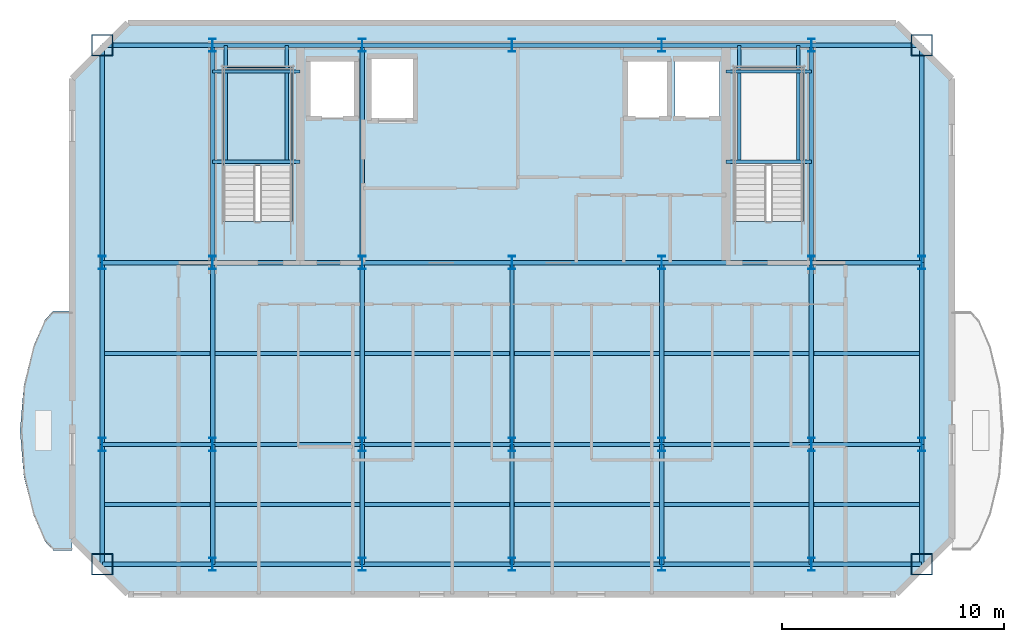
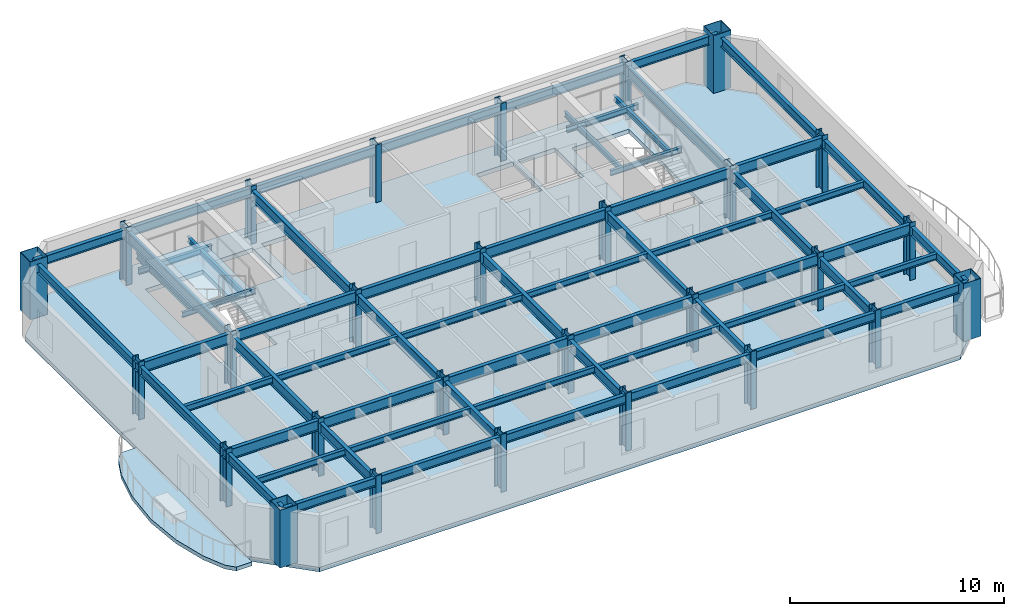
# One storey, part 1 of 6: 63 beams, 28 columns, 3 slabs, 1 element without a shape of its own.
"""IFC4 building model written with IfcOpenShell, lengths in metres."""

from ifc_helpers import new_model, si_unit, direction, frame, origin, origin_2d, place, context, subcontext, project, spatial, polyline, hollow_rectangle, i_section, outline, extrude, material, layer, layer_set, material_profile, profile_set, type_object, element, aggregate, save


model = new_model("IFC4")

# Units and contexts
model_context = context("Model", 3, precision=1e-05, world=origin(), true_north=direction((0.0, 1.0)))
body_context = subcontext(model_context, "Body", "Model", "MODEL_VIEW")
ifc_project = project(units=[si_unit("LENGTHUNIT", "METRE"), si_unit("AREAUNIT", "SQUARE_METRE"), si_unit("VOLUMEUNIT", "CUBIC_METRE"), si_unit("PLANEANGLEUNIT", "RADIAN"), si_unit("MASSUNIT", "GRAM", prefix="KILO")], contexts=[model_context])

# Site, building, storey
site_placement = place(None, origin())
site = spatial("IfcSite", under=ifc_project, at=site_placement, CompositionType="ELEMENT")
building_placement = place(site_placement, origin())
building = spatial("IfcBuilding", under=site, at=building_placement, Name="Haevon Station Towers", CompositionType="ELEMENT")
storey_placement = place(building_placement, frame((0.0, 0.0, 252.60009765625)))
storey = spatial("IfcBuildingStorey", under=building, at=storey_placement, Name="L70", CompositionType="ELEMENT", Elevation=252.60009765625)

# Columns
ifc_material_1 = material(Name="Steel S460", Category="steel")
ifc_material_profile_1 = material_profile(ifc_material_1, hollow_rectangle(XDim=0.949951171875, YDim=0.949951171875, WallThickness=0.028076171875, at=origin_2d()), Name="BOX-950x950x28")
ifc_profile_set_1 = profile_set([ifc_material_profile_1], Name="Steel S460")
column_type_1 = type_object("IfcColumnType", Name="COL-MC6", PredefinedType="COLUMN", material=ifc_profile_set_1)
for number, where, z_axis, x_axis, name in (
    (1, (19.02490234375, 24.60009765625, 0.0), (0.0, 0.0, 1.0), (1.0, 0.0, 0.0), "COL-T1-L70-01-01"),
    (2, (19.02490234375, 48.0, 0.0), (0.0, 0.0, 1.0), (1.0, 0.0, 0.0), "COL-T1-L70-01-04"),
    (3, (55.97509765625, 24.60009765625, 0.0), (0.0, 0.0, 1.0), (1.0, 0.0, 0.0), "COL-T1-L70-07-01"),
    (4, (55.97509765625, 48.0, 0.0), (0.0, 0.0, 1.0), (1.0, 0.0, 0.0), "COL-T1-L70-07-04"),
):
    element("IfcColumn", number, at=place(storey_placement, frame(where, z_axis=z_axis, x_axis=x_axis)), inside=storey, type_object=column_type_1, Name=name, PredefinedType="COLUMN", context=body_context, shape_type="SweptSolid", body=[
        extrude(hollow_rectangle(XDim=0.949951171875, YDim=0.949951171875, WallThickness=0.028076171875, at=origin_2d()), origin(), (0.0, 0.0, 1.0), 3.2998046875),
    ])
ifc_material_2 = material(Name="Steel S355", Category="steel")
ifc_material_profile_2 = material_profile(ifc_material_2, i_section(OverallWidth=0.300048828125, OverallDepth=0.60009765625, WebThickness=0.013916015625, FlangeThickness=0.02490234375, at=origin_2d()), Name="H-600x300x14x25")
ifc_profile_set_2 = profile_set([ifc_material_profile_2], Name="Steel S355")
column_type_2 = type_object("IfcColumnType", Name="COL-TW4", PredefinedType="COLUMN", material=ifc_profile_set_2)
for number, where, z_axis, x_axis, name in (
    (5, (19.02490234375, 30.0, 0.0), (0.0, 0.0, 1.0), (1.0, 0.0, 0.0), "COL-T1-L70-01-02"),
    (6, (19.02490234375, 38.199951171875, 0.0), (0.0, 0.0, 1.0), (1.0, 0.0, 0.0), "COL-T1-L70-01-03"),
    (7, (24.0, 24.60009765625, 0.0), (0.0, 0.0, 1.0), (1.0, 0.0, 0.0), "COL-T1-L70-02-01"),
    (8, (24.0, 30.0, 0.0), (0.0, 0.0, 1.0), (1.0, 0.0, 0.0), "COL-T1-L70-02-02"),
    (9, (24.0, 38.199951171875, 0.0), (0.0, 0.0, 1.0), (1.0, 0.0, 0.0), "COL-T1-L70-02-03"),
    (10, (24.0, 48.0, 0.0), (0.0, 0.0, 1.0), (1.0, 0.0, 0.0), "COL-T1-L70-02-04"),
    (11, (30.75, 24.60009765625, 0.0), (0.0, 0.0, 1.0), (1.0, 0.0, 0.0), "COL-T1-L70-03-01"),
    (12, (30.75, 30.0, 0.0), (0.0, 0.0, 1.0), (1.0, 0.0, 0.0), "COL-T1-L70-03-02"),
    (13, (30.75, 38.199951171875, 0.0), (0.0, 0.0, 1.0), (1.0, 0.0, 0.0), "COL-T1-L70-03-03"),
    (14, (30.75, 48.0, 0.0), (0.0, 0.0, 1.0), (1.0, 0.0, 0.0), "COL-T1-L70-03-04"),
    (15, (37.5, 24.60009765625, 0.0), (0.0, 0.0, 1.0), (1.0, 0.0, 0.0), "COL-T1-L70-04-01"),
    (16, (37.5, 30.0, 0.0), (0.0, 0.0, 1.0), (1.0, 0.0, 0.0), "COL-T1-L70-04-02"),
    (17, (37.5, 38.199951171875, 0.0), (0.0, 0.0, 1.0), (1.0, 0.0, 0.0), "COL-T1-L70-04-03"),
    (18, (37.5, 48.0, 0.0), (0.0, 0.0, 1.0), (1.0, 0.0, 0.0), "COL-T1-L70-04-04"),
    (19, (44.25, 24.60009765625, 0.0), (0.0, 0.0, 1.0), (1.0, 0.0, 0.0), "COL-T1-L70-05-01"),
    (20, (44.25, 30.0, 0.0), (0.0, 0.0, 1.0), (1.0, 0.0, 0.0), "COL-T1-L70-05-02"),
    (21, (44.25, 38.199951171875, 0.0), (0.0, 0.0, 1.0), (1.0, 0.0, 0.0), "COL-T1-L70-05-03"),
    (22, (44.25, 48.0, 0.0), (0.0, 0.0, 1.0), (1.0, 0.0, 0.0), "COL-T1-L70-05-04"),
    (23, (51.0, 24.60009765625, 0.0), (0.0, 0.0, 1.0), (1.0, 0.0, 0.0), "COL-T1-L70-06-01"),
    (24, (51.0, 30.0, 0.0), (0.0, 0.0, 1.0), (1.0, 0.0, 0.0), "COL-T1-L70-06-02"),
    (25, (51.0, 38.199951171875, 0.0), (0.0, 0.0, 1.0), (1.0, 0.0, 0.0), "COL-T1-L70-06-03"),
    (26, (51.0, 48.0, 0.0), (0.0, 0.0, 1.0), (1.0, 0.0, 0.0), "COL-T1-L70-06-04"),
    (27, (55.97509765625, 30.0, 0.0), (0.0, 0.0, 1.0), (1.0, 0.0, 0.0), "COL-T1-L70-07-02"),
    (28, (55.97509765625, 38.199951171875, 0.0), (0.0, 0.0, 1.0), (1.0, 0.0, 0.0), "COL-T1-L70-07-03"),
):
    element("IfcColumn", number, at=place(storey_placement, frame(where, z_axis=z_axis, x_axis=x_axis)), inside=storey, type_object=column_type_2, Name=name, PredefinedType="COLUMN", context=body_context, shape_type="SweptSolid", body=[
        extrude(i_section(OverallWidth=0.300048828125, OverallDepth=0.60009765625, WebThickness=0.013916015625, FlangeThickness=0.02490234375, at=origin_2d()), origin(), (0.0, 0.0, 1.0), 3.2998046875),
    ])

# Beams
ifc_material_profile_3 = material_profile(ifc_material_2, i_section(OverallWidth=0.199951171875, OverallDepth=0.60009765625, WebThickness=0.010986328125, FlangeThickness=0.01708984375, at=origin_2d()), Name="H-600x200x11x17")
ifc_profile_set_3 = profile_set([ifc_material_profile_3], Name="Steel S355")
beam_type_1 = type_object("IfcBeamType", Name="BM-G600", PredefinedType="BEAM", material=ifc_profile_set_3)
beam_1_placement = place(storey_placement, frame((19.02490234375, 30.0, 2.75), z_axis=(1.0, 0.0, 0.0), x_axis=(0.0, 1.0, 0.0)))
element("IfcBeam", 29, at=beam_1_placement, inside=storey, type_object=beam_type_1, Name="BM-T1U-L70-02-01", PredefinedType="BEAM", context=body_context, shape_type="SweptSolid", body=[
    extrude(i_section(OverallWidth=0.199951171875, OverallDepth=0.60009765625, WebThickness=0.010986328125, FlangeThickness=0.01708984375, at=origin_2d()), origin(), (0.0, 0.0, 1.0), 4.97509765625),
])
for number, where, z_axis, x_axis, name in (
    (30, (24.0, 30.0, 2.75), (1.0, 0.0, 0.0), (0.0, 1.0, 0.0), "BM-T1U-L70-02-02"),
    (31, (30.75, 30.0, 2.75), (1.0, 0.0, 0.0), (0.0, 1.0, 0.0), "BM-T1U-L70-02-03"),
    (32, (37.5, 30.0, 2.75), (1.0, 0.0, 0.0), (0.0, 1.0, 0.0), "BM-T1U-L70-02-04"),
    (33, (44.25, 30.0, 2.75), (1.0, 0.0, 0.0), (0.0, 1.0, 0.0), "BM-T1U-L70-02-05"),
):
    element("IfcBeam", number, at=place(storey_placement, frame(where, z_axis=z_axis, x_axis=x_axis)), inside=storey, type_object=beam_type_1, Name=name, PredefinedType="BEAM", context=body_context, shape_type="SweptSolid", body=[
        extrude(i_section(OverallWidth=0.199951171875, OverallDepth=0.60009765625, WebThickness=0.010986328125, FlangeThickness=0.01708984375, at=origin_2d()), origin(), (0.0, 0.0, 1.0), 6.75),
    ])
for number, where, z_axis, x_axis, name in (
    (34, (51.0, 30.0, 2.75), (1.0, 0.0, 0.0), (0.0, 1.0, 0.0), "BM-T1U-L70-02-06"),
    (35, (19.02490234375, 38.199951171875, 2.75), (1.0, 0.0, 0.0), (0.0, 1.0, 0.0), "BM-T1U-L70-03-01"),
):
    element("IfcBeam", number, at=place(storey_placement, frame(where, z_axis=z_axis, x_axis=x_axis)), inside=storey, type_object=beam_type_1, Name=name, PredefinedType="BEAM", context=body_context, shape_type="SweptSolid", body=[
        extrude(i_section(OverallWidth=0.199951171875, OverallDepth=0.60009765625, WebThickness=0.010986328125, FlangeThickness=0.01708984375, at=origin_2d()), origin(), (0.0, 0.0, 1.0), 4.97509765625),
    ])
for number, where, z_axis, x_axis, name in (
    (36, (24.0, 38.199951171875, 2.75), (1.0, 0.0, 0.0), (0.0, 1.0, 0.0), "BM-T1U-L70-03-02"),
    (37, (30.75, 38.199951171875, 2.75), (1.0, 0.0, 0.0), (0.0, 1.0, 0.0), "BM-T1U-L70-03-03"),
    (38, (37.5, 38.199951171875, 2.75), (1.0, 0.0, 0.0), (0.0, 1.0, 0.0), "BM-T1U-L70-03-04"),
    (39, (44.25, 38.199951171875, 2.75), (1.0, 0.0, 0.0), (0.0, 1.0, 0.0), "BM-T1U-L70-03-05"),
):
    element("IfcBeam", number, at=place(storey_placement, frame(where, z_axis=z_axis, x_axis=x_axis)), inside=storey, type_object=beam_type_1, Name=name, PredefinedType="BEAM", context=body_context, shape_type="SweptSolid", body=[
        extrude(i_section(OverallWidth=0.199951171875, OverallDepth=0.60009765625, WebThickness=0.010986328125, FlangeThickness=0.01708984375, at=origin_2d()), origin(), (0.0, 0.0, 1.0), 6.75),
    ])
beam_2_placement = place(storey_placement, frame((51.0, 38.199951171875, 2.75), z_axis=(1.0, 0.0, 0.0), x_axis=(0.0, 1.0, 0.0)))
element("IfcBeam", 40, at=beam_2_placement, inside=storey, type_object=beam_type_1, Name="BM-T1U-L70-03-06", PredefinedType="BEAM", context=body_context, shape_type="SweptSolid", body=[
    extrude(i_section(OverallWidth=0.199951171875, OverallDepth=0.60009765625, WebThickness=0.010986328125, FlangeThickness=0.01708984375, at=origin_2d()), origin(), (0.0, 0.0, 1.0), 4.97509765625),
])
beam_3_placement = place(storey_placement, frame((24.0, 24.60009765625, 2.75), z_axis=(0.0, 1.0, 0.0), x_axis=(-1.0, 0.0, 0.0)))
element("IfcBeam", 41, at=beam_3_placement, inside=storey, type_object=beam_type_1, Name="BM-T1V-L70-02-01", PredefinedType="BEAM", context=body_context, shape_type="SweptSolid", body=[
    extrude(i_section(OverallWidth=0.199951171875, OverallDepth=0.60009765625, WebThickness=0.010986328125, FlangeThickness=0.01708984375, at=origin_2d()), origin(), (0.0, 0.0, 1.0), 5.39990234375),
])
beam_4_placement = place(storey_placement, frame((24.0, 30.0, 2.75), z_axis=(0.0, 1.0, 0.0), x_axis=(-1.0, 0.0, 0.0)))
element("IfcBeam", 42, at=beam_4_placement, inside=storey, type_object=beam_type_1, Name="BM-T1V-L70-02-02", PredefinedType="BEAM", context=body_context, shape_type="SweptSolid", body=[
    extrude(i_section(OverallWidth=0.199951171875, OverallDepth=0.60009765625, WebThickness=0.010986328125, FlangeThickness=0.01708984375, at=origin_2d()), origin(), (0.0, 0.0, 1.0), 8.199951171875),
])
beam_5_placement = place(storey_placement, frame((24.0, 38.199951171875, 2.75), z_axis=(0.0, 1.0, 0.0), x_axis=(-1.0, 0.0, 0.0)))
element("IfcBeam", 43, at=beam_5_placement, inside=storey, type_object=beam_type_1, Name="BM-T1V-L70-02-03", PredefinedType="BEAM", context=body_context, shape_type="SweptSolid", body=[
    extrude(i_section(OverallWidth=0.199951171875, OverallDepth=0.60009765625, WebThickness=0.010986328125, FlangeThickness=0.01708984375, at=origin_2d()), origin(), (0.0, 0.0, 1.0), 9.800048828125),
])
beam_6_placement = place(storey_placement, frame((30.75, 24.60009765625, 2.75), z_axis=(0.0, 1.0, 0.0), x_axis=(-1.0, 0.0, 0.0)))
element("IfcBeam", 44, at=beam_6_placement, inside=storey, type_object=beam_type_1, Name="BM-T1V-L70-03-01", PredefinedType="BEAM", context=body_context, shape_type="SweptSolid", body=[
    extrude(i_section(OverallWidth=0.199951171875, OverallDepth=0.60009765625, WebThickness=0.010986328125, FlangeThickness=0.01708984375, at=origin_2d()), origin(), (0.0, 0.0, 1.0), 5.39990234375),
])
beam_7_placement = place(storey_placement, frame((30.75, 30.0, 2.75), z_axis=(0.0, 1.0, 0.0), x_axis=(-1.0, 0.0, 0.0)))
element("IfcBeam", 45, at=beam_7_placement, inside=storey, type_object=beam_type_1, Name="BM-T1V-L70-03-02", PredefinedType="BEAM", context=body_context, shape_type="SweptSolid", body=[
    extrude(i_section(OverallWidth=0.199951171875, OverallDepth=0.60009765625, WebThickness=0.010986328125, FlangeThickness=0.01708984375, at=origin_2d()), origin(), (0.0, 0.0, 1.0), 8.199951171875),
])
beam_8_placement = place(storey_placement, frame((30.75, 38.199951171875, 2.75), z_axis=(0.0, 1.0, 0.0), x_axis=(-1.0, 0.0, 0.0)))
element("IfcBeam", 46, at=beam_8_placement, inside=storey, type_object=beam_type_1, Name="BM-T1V-L70-03-03", PredefinedType="BEAM", context=body_context, shape_type="SweptSolid", body=[
    extrude(i_section(OverallWidth=0.199951171875, OverallDepth=0.60009765625, WebThickness=0.010986328125, FlangeThickness=0.01708984375, at=origin_2d()), origin(), (0.0, 0.0, 1.0), 9.800048828125),
])
beam_9_placement = place(storey_placement, frame((37.5, 24.60009765625, 2.75), z_axis=(0.0, 1.0, 0.0), x_axis=(-1.0, 0.0, 0.0)))
element("IfcBeam", 47, at=beam_9_placement, inside=storey, type_object=beam_type_1, Name="BM-T1V-L70-04-01", PredefinedType="BEAM", context=body_context, shape_type="SweptSolid", body=[
    extrude(i_section(OverallWidth=0.199951171875, OverallDepth=0.60009765625, WebThickness=0.010986328125, FlangeThickness=0.01708984375, at=origin_2d()), origin(), (0.0, 0.0, 1.0), 5.39990234375),
])
beam_10_placement = place(storey_placement, frame((37.5, 30.0, 2.75), z_axis=(0.0, 1.0, 0.0), x_axis=(-1.0, 0.0, 0.0)))
element("IfcBeam", 48, at=beam_10_placement, inside=storey, type_object=beam_type_1, Name="BM-T1V-L70-04-02", PredefinedType="BEAM", context=body_context, shape_type="SweptSolid", body=[
    extrude(i_section(OverallWidth=0.199951171875, OverallDepth=0.60009765625, WebThickness=0.010986328125, FlangeThickness=0.01708984375, at=origin_2d()), origin(), (0.0, 0.0, 1.0), 8.199951171875),
])
beam_11_placement = place(storey_placement, frame((44.25, 24.60009765625, 2.75), z_axis=(0.0, 1.0, 0.0), x_axis=(-1.0, 0.0, 0.0)))
element("IfcBeam", 49, at=beam_11_placement, inside=storey, type_object=beam_type_1, Name="BM-T1V-L70-05-01", PredefinedType="BEAM", context=body_context, shape_type="SweptSolid", body=[
    extrude(i_section(OverallWidth=0.199951171875, OverallDepth=0.60009765625, WebThickness=0.010986328125, FlangeThickness=0.01708984375, at=origin_2d()), origin(), (0.0, 0.0, 1.0), 5.39990234375),
])
beam_12_placement = place(storey_placement, frame((44.25, 30.0, 2.75), z_axis=(0.0, 1.0, 0.0), x_axis=(-1.0, 0.0, 0.0)))
element("IfcBeam", 50, at=beam_12_placement, inside=storey, type_object=beam_type_1, Name="BM-T1V-L70-05-02", PredefinedType="BEAM", context=body_context, shape_type="SweptSolid", body=[
    extrude(i_section(OverallWidth=0.199951171875, OverallDepth=0.60009765625, WebThickness=0.010986328125, FlangeThickness=0.01708984375, at=origin_2d()), origin(), (0.0, 0.0, 1.0), 8.199951171875),
])
beam_13_placement = place(storey_placement, frame((51.0, 24.60009765625, 2.75), z_axis=(0.0, 1.0, 0.0), x_axis=(-1.0, 0.0, 0.0)))
element("IfcBeam", 51, at=beam_13_placement, inside=storey, type_object=beam_type_1, Name="BM-T1V-L70-06-01", PredefinedType="BEAM", context=body_context, shape_type="SweptSolid", body=[
    extrude(i_section(OverallWidth=0.199951171875, OverallDepth=0.60009765625, WebThickness=0.010986328125, FlangeThickness=0.01708984375, at=origin_2d()), origin(), (0.0, 0.0, 1.0), 5.39990234375),
])
beam_14_placement = place(storey_placement, frame((51.0, 30.0, 2.75), z_axis=(0.0, 1.0, 0.0), x_axis=(-1.0, 0.0, 0.0)))
element("IfcBeam", 52, at=beam_14_placement, inside=storey, type_object=beam_type_1, Name="BM-T1V-L70-06-02", PredefinedType="BEAM", context=body_context, shape_type="SweptSolid", body=[
    extrude(i_section(OverallWidth=0.199951171875, OverallDepth=0.60009765625, WebThickness=0.010986328125, FlangeThickness=0.01708984375, at=origin_2d()), origin(), (0.0, 0.0, 1.0), 8.199951171875),
])
beam_15_placement = place(storey_placement, frame((51.0, 38.199951171875, 2.75), z_axis=(0.0, 1.0, 0.0), x_axis=(-1.0, 0.0, 0.0)))
element("IfcBeam", 53, at=beam_15_placement, inside=storey, type_object=beam_type_1, Name="BM-T1V-L70-06-03", PredefinedType="BEAM", context=body_context, shape_type="SweptSolid", body=[
    extrude(i_section(OverallWidth=0.199951171875, OverallDepth=0.60009765625, WebThickness=0.010986328125, FlangeThickness=0.01708984375, at=origin_2d()), origin(), (0.0, 0.0, 1.0), 9.800048828125),
])
ifc_material_profile_4 = material_profile(ifc_material_2, i_section(OverallWidth=0.175048828125, OverallDepth=0.35009765625, WebThickness=0.007080078125, FlangeThickness=0.010986328125, at=origin_2d()), Name="H-350x175x7x11")
ifc_profile_set_4 = profile_set([ifc_material_profile_4], Name="Steel S355")
beam_type_2 = type_object("IfcBeamType", Name="BM-J350", PredefinedType="JOIST", material=ifc_profile_set_4)
beam_16_placement = place(storey_placement, frame((19.135009765625, 27.300048828125, 2.875), z_axis=(1.0, 0.0, 0.0), x_axis=(0.0, 1.0, 0.0)))
element("IfcBeam", 54, at=beam_16_placement, inside=storey, type_object=beam_type_2, Name="BM-T1J-L70-01-01", PredefinedType="JOIST", context=body_context, shape_type="SweptSolid", body=[
    extrude(i_section(OverallWidth=0.175048828125, OverallDepth=0.35009765625, WebThickness=0.007080078125, FlangeThickness=0.010986328125, at=origin_2d()), origin(), (0.0, 0.0, 1.0), 4.7548828125),
])
for number, where, z_axis, x_axis, name in (
    (55, (24.110107421875, 27.300048828125, 2.875), (1.0, 0.0, 0.0), (0.0, 1.0, 0.0), "BM-T1J-L70-01-02"),
    (56, (30.860107421875, 27.300048828125, 2.875), (1.0, 0.0, 0.0), (0.0, 1.0, 0.0), "BM-T1J-L70-01-03"),
    (57, (37.610107421875, 27.300048828125, 2.875), (1.0, 0.0, 0.0), (0.0, 1.0, 0.0), "BM-T1J-L70-01-04"),
    (58, (44.360107421875, 27.300048828125, 2.875), (1.0, 0.0, 0.0), (0.0, 1.0, 0.0), "BM-T1J-L70-01-05"),
):
    element("IfcBeam", number, at=place(storey_placement, frame(where, z_axis=z_axis, x_axis=x_axis)), inside=storey, type_object=beam_type_2, Name=name, PredefinedType="JOIST", context=body_context, shape_type="SweptSolid", body=[
        extrude(i_section(OverallWidth=0.175048828125, OverallDepth=0.35009765625, WebThickness=0.007080078125, FlangeThickness=0.010986328125, at=origin_2d()), origin(), (0.0, 0.0, 1.0), 6.52978515625),
    ])
for number, where, z_axis, x_axis, name in (
    (59, (51.110107421875, 27.300048828125, 2.875), (1.0, 0.0, 0.0), (0.0, 1.0, 0.0), "BM-T1J-L70-01-06"),
    (60, (19.135009765625, 34.10009765625, 2.875), (1.0, 0.0, 0.0), (0.0, 1.0, 0.0), "BM-T1J-L70-02-01"),
):
    element("IfcBeam", number, at=place(storey_placement, frame(where, z_axis=z_axis, x_axis=x_axis)), inside=storey, type_object=beam_type_2, Name=name, PredefinedType="JOIST", context=body_context, shape_type="SweptSolid", body=[
        extrude(i_section(OverallWidth=0.175048828125, OverallDepth=0.35009765625, WebThickness=0.007080078125, FlangeThickness=0.010986328125, at=origin_2d()), origin(), (0.0, 0.0, 1.0), 4.7548828125),
    ])
for number, where, z_axis, x_axis, name in (
    (61, (24.110107421875, 34.10009765625, 2.875), (1.0, 0.0, 0.0), (0.0, 1.0, 0.0), "BM-T1J-L70-02-02"),
    (62, (30.860107421875, 34.10009765625, 2.875), (1.0, 0.0, 0.0), (0.0, 1.0, 0.0), "BM-T1J-L70-02-03"),
    (63, (37.610107421875, 34.10009765625, 2.875), (1.0, 0.0, 0.0), (0.0, 1.0, 0.0), "BM-T1J-L70-02-04"),
    (64, (44.360107421875, 34.10009765625, 2.875), (1.0, 0.0, 0.0), (0.0, 1.0, 0.0), "BM-T1J-L70-02-05"),
):
    element("IfcBeam", number, at=place(storey_placement, frame(where, z_axis=z_axis, x_axis=x_axis)), inside=storey, type_object=beam_type_2, Name=name, PredefinedType="JOIST", context=body_context, shape_type="SweptSolid", body=[
        extrude(i_section(OverallWidth=0.175048828125, OverallDepth=0.35009765625, WebThickness=0.007080078125, FlangeThickness=0.010986328125, at=origin_2d()), origin(), (0.0, 0.0, 1.0), 6.52978515625),
    ])
beam_17_placement = place(storey_placement, frame((51.110107421875, 34.10009765625, 2.875), z_axis=(1.0, 0.0, 0.0), x_axis=(0.0, 1.0, 0.0)))
element("IfcBeam", 65, at=beam_17_placement, inside=storey, type_object=beam_type_2, Name="BM-T1J-L70-02-06", PredefinedType="JOIST", context=body_context, shape_type="SweptSolid", body=[
    extrude(i_section(OverallWidth=0.175048828125, OverallDepth=0.35009765625, WebThickness=0.007080078125, FlangeThickness=0.010986328125, at=origin_2d()), origin(), (0.0, 0.0, 1.0), 4.7548828125),
])
ifc_material_profile_5 = material_profile(ifc_material_2, i_section(OverallWidth=0.14990234375, OverallDepth=0.300048828125, WebThickness=0.006591796875, FlangeThickness=0.009033203125, at=origin_2d()), Name="H-300x150x6.5x9")
ifc_profile_set_5 = profile_set([ifc_material_profile_5], Name="Steel S355")
beam_type_3 = type_object("IfcBeamType", Name="BM-LIN300", PredefinedType="LINTEL", material=ifc_profile_set_5)
for number, where, z_axis, x_axis, name in (
    (66, (24.0, 42.743896484375, 1.2998046875), (1.0, 0.0, 0.0), (0.0, 1.0, 0.0), "BM-ST1L-L70-1-S"),
    (67, (24.0, 46.820068359375, 1.2998046875), (1.0, 0.0, 0.0), (0.0, 1.0, 0.0), "BM-ST1L-L70-1-N"),
):
    element("IfcBeam", number, at=place(storey_placement, frame(where, z_axis=z_axis, x_axis=x_axis)), inside=storey, type_object=beam_type_3, Name=name, PredefinedType="LINTEL", context=body_context, shape_type="SweptSolid", body=[
        extrude(i_section(OverallWidth=0.14990234375, OverallDepth=0.300048828125, WebThickness=0.006591796875, FlangeThickness=0.009033203125, at=origin_2d()), origin(), (0.0, 0.0, 1.0), 3.949951171875),
    ])
for number, where, z_axis, x_axis, name in (
    (68, (24.60009765625, 42.743896484375, 1.2998046875), (0.0, 1.0, 0.0), (-1.0, 0.0, 0.0), "BM-ST1L-L70-1-W"),
    (69, (27.35009765625, 42.743896484375, 1.2998046875), (0.0, 1.0, 0.0), (-1.0, 0.0, 0.0), "BM-ST1L-L70-1-E"),
):
    element("IfcBeam", number, at=place(storey_placement, frame(where, z_axis=z_axis, x_axis=x_axis)), inside=storey, type_object=beam_type_3, Name=name, PredefinedType="LINTEL", context=body_context, shape_type="SweptSolid", body=[
        extrude(i_section(OverallWidth=0.14990234375, OverallDepth=0.300048828125, WebThickness=0.006591796875, FlangeThickness=0.009033203125, at=origin_2d()), origin(), (0.0, 0.0, 1.0), 5.256103515625),
    ])
for number, where, z_axis, x_axis, name in (
    (70, (47.14990234375, 42.743896484375, 1.2998046875), (1.0, 0.0, 0.0), (0.0, 1.0, 0.0), "BM-ST2L-L70-1-S"),
    (71, (47.14990234375, 46.820068359375, 1.2998046875), (1.0, 0.0, 0.0), (0.0, 1.0, 0.0), "BM-ST2L-L70-1-N"),
):
    element("IfcBeam", number, at=place(storey_placement, frame(where, z_axis=z_axis, x_axis=x_axis)), inside=storey, type_object=beam_type_3, Name=name, PredefinedType="LINTEL", context=body_context, shape_type="SweptSolid", body=[
        extrude(i_section(OverallWidth=0.14990234375, OverallDepth=0.300048828125, WebThickness=0.006591796875, FlangeThickness=0.009033203125, at=origin_2d()), origin(), (0.0, 0.0, 1.0), 3.85009765625),
    ])
for number, where, z_axis, x_axis, name in (
    (72, (47.75, 42.743896484375, 1.2998046875), (0.0, 1.0, 0.0), (-1.0, 0.0, 0.0), "BM-ST2L-L70-1-W"),
    (73, (50.39990234375, 42.743896484375, 1.2998046875), (0.0, 1.0, 0.0), (-1.0, 0.0, 0.0), "BM-ST2L-L70-1-E"),
):
    element("IfcBeam", number, at=place(storey_placement, frame(where, z_axis=z_axis, x_axis=x_axis)), inside=storey, type_object=beam_type_3, Name=name, PredefinedType="LINTEL", context=body_context, shape_type="SweptSolid", body=[
        extrude(i_section(OverallWidth=0.14990234375, OverallDepth=0.300048828125, WebThickness=0.006591796875, FlangeThickness=0.009033203125, at=origin_2d()), origin(), (0.0, 0.0, 1.0), 5.256103515625),
    ])
ifc_material_profile_6 = material_profile(ifc_material_2, i_section(OverallWidth=0.199951171875, OverallDepth=0.5, WebThickness=0.010009765625, FlangeThickness=0.01611328125, at=origin_2d()), Name="H-500x200x10x16")
ifc_profile_set_6 = profile_set([ifc_material_profile_6], Name="Steel S355")
beam_type_4 = type_object("IfcBeamType", Name="BM-SP500", PredefinedType="SPANDREL", material=ifc_profile_set_6)
beam_18_placement = place(storey_placement, frame((19.02490234375, 24.60009765625, 2.7998046875), z_axis=(1.0, 0.0, 0.0), x_axis=(0.0, 1.0, 0.0)))
element("IfcBeam", 74, at=beam_18_placement, inside=storey, type_object=beam_type_4, Name="BM-T1U-L70-01-01", PredefinedType="SPANDREL", context=body_context, shape_type="SweptSolid", body=[
    extrude(i_section(OverallWidth=0.199951171875, OverallDepth=0.5, WebThickness=0.010009765625, FlangeThickness=0.01611328125, at=origin_2d()), origin(), (0.0, 0.0, 1.0), 4.97509765625),
])
for number, where, z_axis, x_axis, name in (
    (75, (24.0, 24.60009765625, 2.7998046875), (1.0, 0.0, 0.0), (0.0, 1.0, 0.0), "BM-T1U-L70-01-02"),
    (76, (30.75, 24.60009765625, 2.7998046875), (1.0, 0.0, 0.0), (0.0, 1.0, 0.0), "BM-T1U-L70-01-03"),
    (77, (37.5, 24.60009765625, 2.7998046875), (1.0, 0.0, 0.0), (0.0, 1.0, 0.0), "BM-T1U-L70-01-04"),
    (78, (44.25, 24.60009765625, 2.7998046875), (1.0, 0.0, 0.0), (0.0, 1.0, 0.0), "BM-T1U-L70-01-05"),
):
    element("IfcBeam", number, at=place(storey_placement, frame(where, z_axis=z_axis, x_axis=x_axis)), inside=storey, type_object=beam_type_4, Name=name, PredefinedType="SPANDREL", context=body_context, shape_type="SweptSolid", body=[
        extrude(i_section(OverallWidth=0.199951171875, OverallDepth=0.5, WebThickness=0.010009765625, FlangeThickness=0.01611328125, at=origin_2d()), origin(), (0.0, 0.0, 1.0), 6.75),
    ])
for number, where, z_axis, x_axis, name in (
    (79, (51.0, 24.60009765625, 2.7998046875), (1.0, 0.0, 0.0), (0.0, 1.0, 0.0), "BM-T1U-L70-01-06"),
    (80, (19.02490234375, 48.0, 2.7998046875), (1.0, 0.0, 0.0), (0.0, 1.0, 0.0), "BM-T1U-L70-04-01"),
):
    element("IfcBeam", number, at=place(storey_placement, frame(where, z_axis=z_axis, x_axis=x_axis)), inside=storey, type_object=beam_type_4, Name=name, PredefinedType="SPANDREL", context=body_context, shape_type="SweptSolid", body=[
        extrude(i_section(OverallWidth=0.199951171875, OverallDepth=0.5, WebThickness=0.010009765625, FlangeThickness=0.01611328125, at=origin_2d()), origin(), (0.0, 0.0, 1.0), 4.97509765625),
    ])
for number, where, z_axis, x_axis, name in (
    (81, (24.0, 48.0, 2.7998046875), (1.0, 0.0, 0.0), (0.0, 1.0, 0.0), "BM-T1U-L70-04-02"),
    (82, (30.75, 48.0, 2.7998046875), (1.0, 0.0, 0.0), (0.0, 1.0, 0.0), "BM-T1U-L70-04-03"),
    (83, (37.5, 48.0, 2.7998046875), (1.0, 0.0, 0.0), (0.0, 1.0, 0.0), "BM-T1U-L70-04-04"),
    (84, (44.25, 48.0, 2.7998046875), (1.0, 0.0, 0.0), (0.0, 1.0, 0.0), "BM-T1U-L70-04-05"),
):
    element("IfcBeam", number, at=place(storey_placement, frame(where, z_axis=z_axis, x_axis=x_axis)), inside=storey, type_object=beam_type_4, Name=name, PredefinedType="SPANDREL", context=body_context, shape_type="SweptSolid", body=[
        extrude(i_section(OverallWidth=0.199951171875, OverallDepth=0.5, WebThickness=0.010009765625, FlangeThickness=0.01611328125, at=origin_2d()), origin(), (0.0, 0.0, 1.0), 6.75),
    ])
beam_19_placement = place(storey_placement, frame((51.0, 48.0, 2.7998046875), z_axis=(1.0, 0.0, 0.0), x_axis=(0.0, 1.0, 0.0)))
element("IfcBeam", 85, at=beam_19_placement, inside=storey, type_object=beam_type_4, Name="BM-T1U-L70-04-06", PredefinedType="SPANDREL", context=body_context, shape_type="SweptSolid", body=[
    extrude(i_section(OverallWidth=0.199951171875, OverallDepth=0.5, WebThickness=0.010009765625, FlangeThickness=0.01611328125, at=origin_2d()), origin(), (0.0, 0.0, 1.0), 4.97509765625),
])
beam_20_placement = place(storey_placement, frame((19.02490234375, 24.60009765625, 2.7998046875), z_axis=(0.0, 1.0, 0.0), x_axis=(-1.0, 0.0, 0.0)))
element("IfcBeam", 86, at=beam_20_placement, inside=storey, type_object=beam_type_4, Name="BM-T1V-L70-01-01", PredefinedType="SPANDREL", context=body_context, shape_type="SweptSolid", body=[
    extrude(i_section(OverallWidth=0.199951171875, OverallDepth=0.5, WebThickness=0.010009765625, FlangeThickness=0.01611328125, at=origin_2d()), origin(), (0.0, 0.0, 1.0), 5.39990234375),
])
beam_21_placement = place(storey_placement, frame((19.02490234375, 30.0, 2.7998046875), z_axis=(0.0, 1.0, 0.0), x_axis=(-1.0, 0.0, 0.0)))
element("IfcBeam", 87, at=beam_21_placement, inside=storey, type_object=beam_type_4, Name="BM-T1V-L70-01-02", PredefinedType="SPANDREL", context=body_context, shape_type="SweptSolid", body=[
    extrude(i_section(OverallWidth=0.199951171875, OverallDepth=0.5, WebThickness=0.010009765625, FlangeThickness=0.01611328125, at=origin_2d()), origin(), (0.0, 0.0, 1.0), 8.199951171875),
])
beam_22_placement = place(storey_placement, frame((19.02490234375, 38.199951171875, 2.7998046875), z_axis=(0.0, 1.0, 0.0), x_axis=(-1.0, 0.0, 0.0)))
element("IfcBeam", 88, at=beam_22_placement, inside=storey, type_object=beam_type_4, Name="BM-T1V-L70-01-03", PredefinedType="SPANDREL", context=body_context, shape_type="SweptSolid", body=[
    extrude(i_section(OverallWidth=0.199951171875, OverallDepth=0.5, WebThickness=0.010009765625, FlangeThickness=0.01611328125, at=origin_2d()), origin(), (0.0, 0.0, 1.0), 9.800048828125),
])
beam_23_placement = place(storey_placement, frame((55.97509765625, 24.60009765625, 2.7998046875), z_axis=(0.0, 1.0, 0.0), x_axis=(-1.0, 0.0, 0.0)))
element("IfcBeam", 89, at=beam_23_placement, inside=storey, type_object=beam_type_4, Name="BM-T1V-L70-07-01", PredefinedType="SPANDREL", context=body_context, shape_type="SweptSolid", body=[
    extrude(i_section(OverallWidth=0.199951171875, OverallDepth=0.5, WebThickness=0.010009765625, FlangeThickness=0.01611328125, at=origin_2d()), origin(), (0.0, 0.0, 1.0), 5.39990234375),
])
beam_24_placement = place(storey_placement, frame((55.97509765625, 30.0, 2.7998046875), z_axis=(0.0, 1.0, 0.0), x_axis=(-1.0, 0.0, 0.0)))
element("IfcBeam", 90, at=beam_24_placement, inside=storey, type_object=beam_type_4, Name="BM-T1V-L70-07-02", PredefinedType="SPANDREL", context=body_context, shape_type="SweptSolid", body=[
    extrude(i_section(OverallWidth=0.199951171875, OverallDepth=0.5, WebThickness=0.010009765625, FlangeThickness=0.01611328125, at=origin_2d()), origin(), (0.0, 0.0, 1.0), 8.199951171875),
])
beam_25_placement = place(storey_placement, frame((55.97509765625, 38.199951171875, 2.7998046875), z_axis=(0.0, 1.0, 0.0), x_axis=(-1.0, 0.0, 0.0)))
element("IfcBeam", 91, at=beam_25_placement, inside=storey, type_object=beam_type_4, Name="BM-T1V-L70-07-03", PredefinedType="SPANDREL", context=body_context, shape_type="SweptSolid", body=[
    extrude(i_section(OverallWidth=0.199951171875, OverallDepth=0.5, WebThickness=0.010009765625, FlangeThickness=0.01611328125, at=origin_2d()), origin(), (0.0, 0.0, 1.0), 9.800048828125),
])

# Slab
ifc_material_3 = material(Name="Concrete C40/50", Category="concrete")
ifc_layer_1 = layer(ifc_material_3, 0.219970703125)
ifc_layer_set_1 = layer_set([ifc_layer_1], Name="Concrete C40/50")
slab_type_1 = type_object("IfcSlabType", Name="SL-BALC220", PredefinedType="FLOOR", material=ifc_layer_set_1)
slab_1_placement = place(storey_placement, frame((0.0, 0.0, -0.22021484375)))
element("IfcSlab", 92, at=slab_1_placement, inside=storey, type_object=slab_type_1, Name="Tower 1 L70 West SCALLOPED BALCONY", PredefinedType="FLOOR", context=body_context, shape_type="SweptSolid", body=[
    extrude(outline(polyline([(17.669921875, 36.02490234375), (16.820068359375, 36.02490234375), (16.43701171875, 35.614013671875), (15.9267578125, 34.443359375), (15.4912109375, 32.69140625), (15.316162109375, 30.625), (15.4912109375, 28.55859375), (15.9267578125, 26.806640625), (16.43701171875, 25.635986328125), (16.820068359375, 25.22509765625), (17.669921875, 25.22509765625), (17.669921875, 36.02490234375)])), origin(), (0.0, 0.0, 1.0), 0.22021484375),
])

# Stair, slab
stair_type = type_object("IfcStairType", Name="STR-DL1450", PredefinedType="USERDEFINED", material=ifc_material_3)
stair_placement = place(storey_placement, origin())
stair = element("IfcStair", 93, at=stair_placement, inside=storey, type_object=stair_type, Name="L70 Escape Stair ST1", ObjectType="TWO_RETURN_STAIR", PredefinedType="USERDEFINED")
ifc_layer_2 = layer(ifc_material_3, 0.199951171875)
ifc_layer_set_2 = layer_set([ifc_layer_2], Name="Concrete C40/50")
slab_type_2 = type_object("IfcSlabType", Name="SL-LND200", PredefinedType="LANDING", material=ifc_layer_set_2)
slab_2_placement = place(storey_placement, frame((0.0, 0.0, 1.449951171875)))
slab_2 = element("IfcSlab", 94, at=slab_2_placement, type_object=slab_type_2, Name="L70 ST1 Half Landing 1", PredefinedType="LANDING", context=body_context, shape_type="SweptSolid", body=[
    extrude(outline(polyline([(27.580078125, 42.56396484375), (27.580078125, 47.0), (24.47998046875, 47.0), (24.47998046875, 42.56396484375), (27.580078125, 42.56396484375)])), origin(), (0.0, 0.0, 1.0), 0.199951171875),
])
aggregate(stair, [slab_2])

# Slab
ifc_layer_3 = layer(ifc_material_3, 0.25)
ifc_layer_set_3 = layer_set([ifc_layer_3], Name="Concrete C40/50")
slab_type_3 = type_object("IfcSlabType", Name="SL-TW250", PredefinedType="FLOOR", material=ifc_layer_set_3)
slab_3_placement = place(storey_placement, frame((0.0, 0.0, -0.25)))
element("IfcSlab", 95, at=slab_3_placement, inside=storey, type_object=slab_type_3, Name="SL-T1-L70", PredefinedType="FLOOR", context=body_context, shape_type="SweptSolid", body=[
    extrude(outline(polyline([(20.175048828125, 23.25), (54.824951171875, 23.25), (57.324951171875, 25.75), (57.324951171875, 46.5), (54.824951171875, 49.0), (20.175048828125, 49.0), (17.675048828125, 46.5), (17.675048828125, 25.75), (20.175048828125, 23.25)]), holes=[polyline([(27.580078125, 40.055908203125), (27.580078125, 47.0), (24.47998046875, 47.0), (24.47998046875, 40.055908203125), (27.580078125, 40.055908203125)]), polyline([(50.6201171875, 40.055908203125), (50.6201171875, 47.0), (47.52001953125, 47.0), (47.52001953125, 40.055908203125), (50.6201171875, 40.055908203125)]), polyline([(28.300048828125, 44.699951171875), (30.5, 44.699951171875), (30.5, 47.39990234375), (28.300048828125, 47.39990234375), (28.300048828125, 44.699951171875)]), polyline([(31.050048828125, 44.60009765625), (33.14990234375, 44.60009765625), (33.14990234375, 47.5), (31.050048828125, 47.5), (31.050048828125, 44.60009765625)]), polyline([(42.60009765625, 44.699951171875), (44.60009765625, 44.699951171875), (44.60009765625, 47.39990234375), (42.60009765625, 47.39990234375), (42.60009765625, 44.699951171875)]), polyline([(44.85009765625, 44.699951171875), (46.85009765625, 44.699951171875), (46.85009765625, 47.39990234375), (44.85009765625, 47.39990234375), (44.85009765625, 44.699951171875)])]), origin(), (0.0, 0.0, 1.0), 0.25),
])

save(model, "model.ifc")
